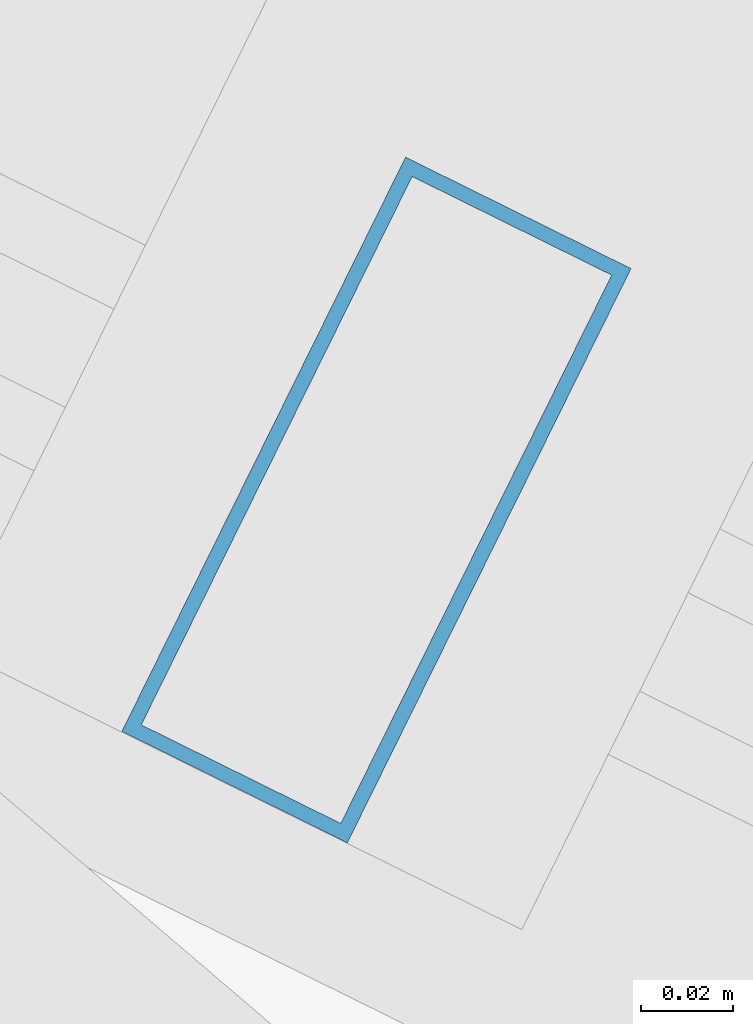
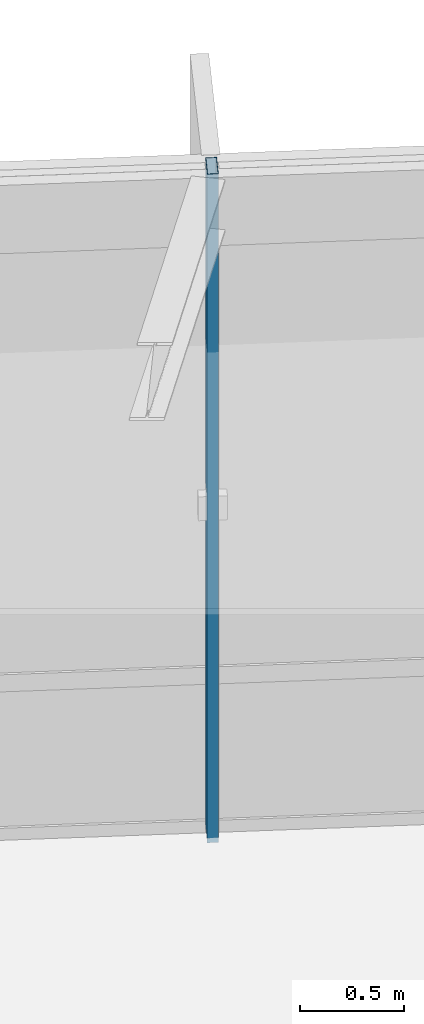
# One storey, part 53 of 83: 1 member, 1 element without a shape of its own.
"""IFC4 building model written with IfcOpenShell, lengths in metres."""

from ifc_helpers import new_model, si_unit, direction, frame, origin, origin_2d, place, context, subcontext, project, spatial, hollow_rectangle, extrude, material, material_profile, profile_set, type_object, element, aggregate, save


model = new_model("IFC4")

# Units and contexts
model_context = context("Model", 3, precision=1e-05, world=origin(), true_north=direction((0.0, 1.0)))
body_context = subcontext(model_context, "Body", "Model", "MODEL_VIEW")
ifc_project = project(units=[si_unit("LENGTHUNIT", "METRE"), si_unit("AREAUNIT", "SQUARE_METRE"), si_unit("VOLUMEUNIT", "CUBIC_METRE"), si_unit("PLANEANGLEUNIT", "RADIAN"), si_unit("MASSUNIT", "GRAM", prefix="KILO"), si_unit("THERMODYNAMICTEMPERATUREUNIT", "KELVIN"), si_unit("POWERUNIT", "WATT")], contexts=[model_context])

# Site, building, storey
site_placement = place(None, origin())
site = spatial("IfcSite", under=ifc_project, at=site_placement, CompositionType="ELEMENT")
building_placement = place(site_placement, origin())
building = spatial("IfcBuilding", under=site, at=building_placement, Name="Darbajah Civic Hall", CompositionType="ELEMENT")
storey_placement = place(building_placement, frame((0.0, 0.0, 18.0)))
storey = spatial("IfcBuildingStorey", under=building, at=storey_placement, Name="L04", CompositionType="ELEMENT", Elevation=18.0)

# Curtain wall, member
ifc_material_1 = material(Name="Anodised Bronze Aluminium and Low-E Glazing", Category="aluminium")
curtain_wall_type = type_object("IfcCurtainWallType", Name="Unitised Curtain Wall CW-56 12900x3900", PredefinedType="USERDEFINED", material=ifc_material_1)
curtain_wall_placement = place(storey_placement, origin())
curtain_wall = element("IfcCurtainWall", 1, at=curtain_wall_placement, inside=storey, type_object=curtain_wall_type, Name="L04 unitised curtain wall CW-V1O-L04-02", ObjectType="UNITISED CURTAIN WALL", PredefinedType="USERDEFINED")
ifc_material_2 = material(Name="Anodised Bronze Aluminium", Category="aluminium")
ifc_material_profile = material_profile(ifc_material_2, hollow_rectangle(XDim=0.054931640625, YDim=0.139892578125, WallThickness=0.003173828125, at=origin_2d()), Name="ALU MULLION 55x140")
ifc_profile_set = profile_set([ifc_material_profile], Name="Anodised Bronze Aluminium")
member_type = type_object("IfcMemberType", Name="ALU MULLION 55x140", PredefinedType="MULLION", material=ifc_profile_set)
member_placement = place(storey_placement, frame((121.81396484375, 111.955810546875, 0.0), z_axis=(0.0, 0.0, 1.0), x_axis=(-0.89656374724, 0.442914717678, 0.0)))
member = element("IfcMember", 2, at=member_placement, type_object=member_type, Name="CW-V1O-L04-02 mullion 3", PredefinedType="MULLION", context=body_context, shape_type="SweptSolid", body=[
    extrude(hollow_rectangle(XDim=0.054931640625, YDim=0.139892578125, WallThickness=0.003173828125, at=origin_2d()), origin(), (0.0, 0.0, 1.0), 3.919921875),
])
aggregate(curtain_wall, [member])

save(model, "model.ifc")
